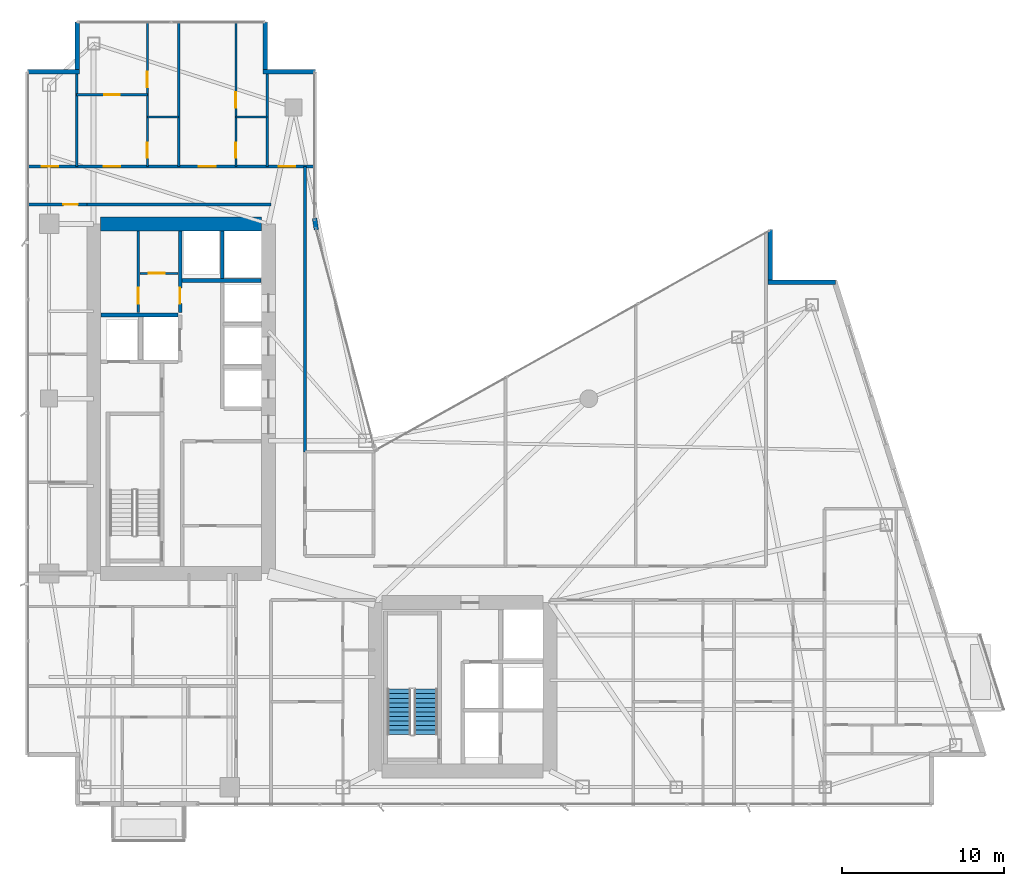
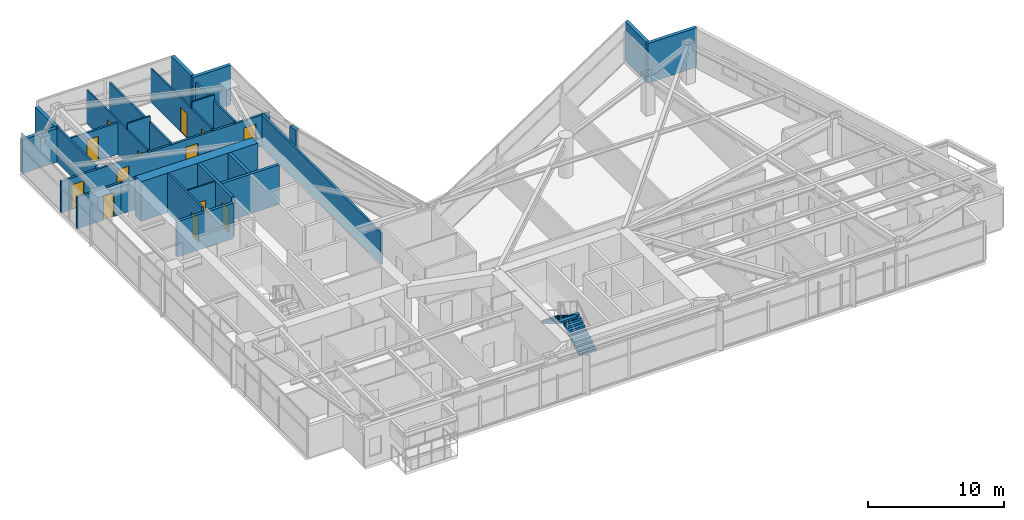
# One storey, part 25 of 29: 26 walls, 13 doors, 2 stair flights, 13 openings, 1 element without a shape of its own.
"""IFC4 building model written with IfcOpenShell, lengths in metres."""

import ifcopenshell
import ifcopenshell.guid

model = None  # the IFC model being written
_history = None  # IfcOwnerHistory: only IFC2X3 demands one
_inside = {}  # id of a spatial element -> (the spatial element, [elements in it])
_under = {}  # id of a project, library or spatial element -> (it, [spatial elements below it])
_declared = {}  # id of a project -> (the project, [libraries it declares])
_typed = {}  # id of a type object -> (the type object, [elements of that type])
_made_of = {}  # id of a material, layer set ... -> (it, [elements and type objects made of it])


def new_model(schema):
    """Start an empty IFC model of exactly this schema.

    Asked for "IFC4X3", IfcOpenShell would pick the latest addendum, in which some entities
    have other attributes; the version numbers below select the first issue.
    IFC2X3 requires an IfcOwnerHistory on every rooted entity: one is made here for all.
    """
    global model, _history
    if schema == "IFC4X3":
        model = ifcopenshell.file(schema_version=(4, 3, 0, 0))
    else:
        model = ifcopenshell.file(schema=schema)
    _inside.clear()
    _under.clear()
    _declared.clear()
    _typed.clear()
    _made_of.clear()
    _history = None
    if model.schema == "IFC2X3":
        org = make("IfcOrganization", Name="unknown")
        user = make(
            "IfcPersonAndOrganization",
            ThePerson=make("IfcPerson", FamilyName="unknown"),
            TheOrganization=org,
        )
        app = make(
            "IfcApplication",
            ApplicationDeveloper=org,
            Version="unknown",
            ApplicationFullName="unknown",
            ApplicationIdentifier="unknown",
        )
        _history = make(
            "IfcOwnerHistory",
            OwningUser=user,
            OwningApplication=app,
            ChangeAction="ADDED",
            CreationDate=0,
        )
    return model


def make(cls, **values):
    """One entity of the class cls with the attributes given. An attribute that is None is left unset."""
    return model.create_entity(
        cls, **{name: value for name, value in values.items() if value is not None}
    )


def rooted(cls, **values):
    """An entity with a GlobalId (a new one), such as an element, a storey or a relation."""
    return make(cls, GlobalId=ifcopenshell.guid.new(), OwnerHistory=_history, **values)


def si_unit(unit_type, name, prefix=None):
    """IfcSIUnit, for example si_unit("LENGTHUNIT", "METRE", prefix="MILLI")."""
    return make("IfcSIUnit", UnitType=unit_type, Prefix=prefix, Name=name)


def assignment(units):
    """IfcUnitAssignment: the units of a project."""
    return None if units is None else make("IfcUnitAssignment", Units=units)


def point(xyz):
    """IfcCartesianPoint."""
    return None if xyz is None else make("IfcCartesianPoint", Coordinates=xyz)


def direction(xyz):
    """IfcDirection."""
    return None if xyz is None else make("IfcDirection", DirectionRatios=xyz)


def frame(location, z_axis=None, x_axis=None):
    """IfcAxis2Placement3D, a coordinate frame: its origin and axes. An axis left out is left unset."""
    return make(
        "IfcAxis2Placement3D",
        Location=point(location),
        Axis=direction(z_axis),
        RefDirection=direction(x_axis),
    )


def frame_2d(location, x_axis=None):
    """IfcAxis2Placement2D, a coordinate frame in the plane: its origin and x axis."""
    return make(
        "IfcAxis2Placement2D", Location=point(location), RefDirection=direction(x_axis)
    )


def origin():
    """The frame at (0, 0, 0) with its axes left unset."""
    return frame((0.0, 0.0, 0.0))


def place(relative_to, where):
    """IfcLocalPlacement: puts the frame where relative to a parent placement (None: the world)."""
    return make(
        "IfcLocalPlacement", PlacementRelTo=relative_to, RelativePlacement=where
    )


def context(
    kind, dimensions, precision=None, world=None, true_north=None, identifier=None
):
    """IfcGeometricRepresentationContext, for example the 3D "Model" context."""
    return make(
        "IfcGeometricRepresentationContext",
        ContextIdentifier=identifier,
        ContextType=kind,
        CoordinateSpaceDimension=dimensions,
        Precision=precision,
        WorldCoordinateSystem=world,
        TrueNorth=true_north,
    )


def subcontext(parent, identifier, kind, view, scale=None):
    """IfcGeometricRepresentationSubContext, for example "Body" below "Model"."""
    return make(
        "IfcGeometricRepresentationSubContext",
        ContextIdentifier=identifier,
        ContextType=kind,
        ParentContext=parent,
        TargetScale=scale,
        TargetView=view,
    )


def project(units=None, contexts=None):
    """IfcProject with its units and contexts."""
    return rooted(
        "IfcProject",
        Name="project",
        RepresentationContexts=contexts,
        UnitsInContext=assignment(units),
    )


def spatial(cls, under=None, at=None, **own):
    """A site, building, storey or space (cls), placed at a placement, below another one or the project."""
    s = rooted(cls, ObjectPlacement=at, **own)
    if under is not None:
        _under.setdefault(under.id(), (under, []))[1].append(s)
    return s


def polyline(points):
    """IfcPolyline through the points."""
    return make("IfcPolyline", Points=[point(p) for p in points])


def profile(cls, at=None, kind="AREA", **sizes):
    """A parametric profile (cls). Its sizes go by their IFC names, for example OverallWidth=200.0."""
    return make(cls, ProfileType=kind, Position=at, **sizes)


def rectangle(**sizes):
    """IfcRectangleProfileDef."""
    return profile("IfcRectangleProfileDef", **sizes)


def outline(outer, holes=None, kind="AREA"):
    """IfcArbitraryClosedProfileDef: a profile drawn as a closed curve; with holes, ...WithVoids."""
    if holes is None:
        return make("IfcArbitraryClosedProfileDef", ProfileType=kind, OuterCurve=outer)
    return make(
        "IfcArbitraryProfileDefWithVoids",
        ProfileType=kind,
        OuterCurve=outer,
        InnerCurves=holes,
    )


def extrude(swept, where, along, depth):
    """IfcExtrudedAreaSolid: the profile swept, set in the frame where, extruded along a direction by depth."""
    return make(
        "IfcExtrudedAreaSolid",
        SweptArea=swept,
        Position=where,
        ExtrudedDirection=direction(along),
        Depth=depth,
    )


def shape(context_of_items, identifier, shape_type, items):
    """IfcShapeRepresentation: the items that make up one representation, for example the "Body"."""
    return make(
        "IfcShapeRepresentation",
        ContextOfItems=context_of_items,
        RepresentationIdentifier=identifier,
        RepresentationType=shape_type,
        Items=items,
    )


def material(Name=None, Category=None):
    """IfcMaterial."""
    return make("IfcMaterial", Name=Name, Category=Category)


def layer(
    of_material, thickness, ventilated=None, Name=None, Category=None, Priority=None
):
    """IfcMaterialLayer: one layer of a wall or slab, of a material (None: an air gap)."""
    return make(
        "IfcMaterialLayer",
        Material=of_material,
        LayerThickness=thickness,
        IsVentilated=ventilated,
        Name=Name,
        Category=Category,
        Priority=Priority,
    )


def layer_set(layers, Name=None):
    """IfcMaterialLayerSet."""
    return make("IfcMaterialLayerSet", MaterialLayers=layers, LayerSetName=Name)


def made_of(thing, what):
    """Note that an element or type object is made of a material, layer set ...; save() writes the relation."""
    if what is not None:
        _made_of.setdefault(what.id(), (what, []))[1].append(thing)
    return thing


def type_object(cls, material=None, **own):
    """A type object (cls), such as IfcWallType, which elements share."""
    return made_of(rooted(cls, **own), material)


def element(
    cls,
    number,
    at=None,
    inside=None,
    cuts=None,
    type_object=None,
    material=None,
    context=None,
    identifier="Body",
    shape_type=None,
    held_by="IfcProductDefinitionShape",
    body=None,
    shapes=None,
    **own,
):
    """One element of the class cls, such as IfcWall. Its Tag is "e" and its number.

    at: its placement. inside: the storey or other place that contains it. cuts: it is an
    opening in that element (IfcRelVoidsElement). A single representation is given by context,
    identifier, shape_type and body (its items); several are given by shapes. held_by: the class
    of the entity that holds the representations. save() writes the other relations.
    """
    e = rooted(cls, Tag="e%d" % number, ObjectPlacement=at, **own)
    if body is not None:
        shapes = [shape(context, identifier, shape_type, body)]
    if shapes is not None:
        e.Representation = make(held_by, Representations=shapes)
    if inside is not None:
        _inside.setdefault(inside.id(), (inside, []))[1].append(e)
    if cuts is not None:
        rooted(
            "IfcRelVoidsElement", RelatingBuildingElement=cuts, RelatedOpeningElement=e
        )
    if type_object is not None:
        _typed.setdefault(type_object.id(), (type_object, []))[1].append(e)
    return made_of(e, material)


def fill(opening, filler):
    """IfcRelFillsElement: the door or window that sits in an opening."""
    return rooted(
        "IfcRelFillsElement",
        RelatingOpeningElement=opening,
        RelatedBuildingElement=filler,
    )


def aggregate(whole, parts):
    """IfcRelAggregates: a whole, such as a stair, and the parts it consists of."""
    return rooted("IfcRelAggregates", RelatingObject=whole, RelatedObjects=parts)


def save(model, path):
    """Write the relations noted so far, then the file.

    IfcRelAggregates (storeys below a building ...), IfcRelContainedInSpatialStructure (elements
    in a storey), IfcRelDefinesByType, IfcRelAssociatesMaterial and IfcRelDeclares: one each for
    every whole, place, type object, material and project.
    """
    for whole, parts in _under.values():
        aggregate(whole, parts)
    for where, things in _inside.values():
        rooted(
            "IfcRelContainedInSpatialStructure",
            RelatedElements=things,
            RelatingStructure=where,
        )
    for kind, things in _typed.values():
        rooted("IfcRelDefinesByType", RelatedObjects=things, RelatingType=kind)
    for what, things in _made_of.values():
        rooted("IfcRelAssociatesMaterial", RelatedObjects=things, RelatingMaterial=what)
    for by, libraries in _declared.values():
        rooted("IfcRelDeclares", RelatingContext=by, RelatedDefinitions=libraries)
    model.write(path)


model = new_model("IFC4")

# Units and contexts
model_context = context("Model", 3, precision=1e-05, world=origin(), true_north=direction((0.0, 1.0)))
body_context = subcontext(model_context, "Body", "Model", "MODEL_VIEW")
ifc_project = project(units=[si_unit("LENGTHUNIT", "METRE"), si_unit("AREAUNIT", "SQUARE_METRE"), si_unit("VOLUMEUNIT", "CUBIC_METRE"), si_unit("PLANEANGLEUNIT", "RADIAN"), si_unit("MASSUNIT", "GRAM", prefix="KILO")], contexts=[model_context])

# Site, building, storey
site_placement = place(None, origin())
site = spatial("IfcSite", under=ifc_project, at=site_placement, CompositionType="ELEMENT")
building_placement = place(site_placement, origin())
building = spatial("IfcBuilding", under=site, at=building_placement, Name="Calvorn Quay Hotel", CompositionType="ELEMENT")
storey_placement = place(building_placement, frame((0.0, 0.0, 120.199951171875)))
storey = spatial("IfcBuildingStorey", under=building, at=storey_placement, Name="L29", CompositionType="ELEMENT", Elevation=120.199951171875)

# Wall
ifc_material_1 = material(Name="Concrete C50", Category="concrete")
ifc_layer_1 = layer(ifc_material_1, 0.85009765625)
ifc_layer_set_1 = layer_set([ifc_layer_1], Name="WL-CORE-850")
wall_type_1 = type_object("IfcWallType", Name="WL-CORE-850", PredefinedType="SHEAR", material=ifc_layer_set_1)
wall_1_placement = place(storey_placement, frame((4.625, 38.39990234375, 0.0), z_axis=(0.0, 0.0, 1.0), x_axis=(1.0, 0.0, 0.0)))
element("IfcWall", 1, at=wall_1_placement, inside=storey, type_object=wall_type_1, Name="West Core Shear Wall N (L29)", PredefinedType="SHEAR", context=body_context, shape_type="SweptSolid", body=[
    extrude(rectangle(XDim=9.949951171875, YDim=0.85009765625, at=frame_2d((4.97509765625, 0.0))), origin(), (0.0, 0.0, 1.0), 3.56005859375),
])

# Wall, opening, door
ifc_material_2 = material(Name="Acoustic Fireboard Steel-Stud Partition", Category="steel")
ifc_layer_2 = layer(ifc_material_2, 0.179931640625)
ifc_layer_set_2 = layer_set([ifc_layer_2], Name="WL-CORR-FIRE-180")
wall_type_2 = type_object("IfcWallType", Name="WL-CORR-FIRE-180", PredefinedType="PARTITIONING", material=ifc_layer_set_2)
wall_2_placement = place(storey_placement, frame((0.080078125, 39.60009765625, 0.0), z_axis=(0.0, 0.0, 1.0), x_axis=(1.0, 0.0, 0.0)))
wall_2 = element("IfcWall", 2, at=wall_2_placement, inside=storey, type_object=wall_type_2, Name="Partition Wall L29-WL-WBAY-N-DOOR", PredefinedType="PARTITIONING", context=body_context, shape_type="SweptSolid", body=[
    extrude(rectangle(XDim=3.724853515625, YDim=0.179931640625, at=frame_2d((1.8623046875, 0.0))), origin(), (0.0, 0.0, 1.0), 2.840087890625),
])
opening_1_placement = place(wall_2_placement, frame((2.25, 0.0, 0.0)))
opening_1 = element("IfcOpeningElement", 3, at=opening_1_placement, cuts=wall_2, Name="Opening D-L29-WBN", PredefinedType="OPENING", context=body_context, shape_type="SweptSolid", body=[
    extrude(rectangle(XDim=0.89990234375, YDim=2.14990234375, at=frame_2d((0.449951171875, 1.074951171875))), frame((0.0, 0.099853515625, 0.0), z_axis=(0.0, -1.0, 0.0), x_axis=(1.0, 0.0, 0.0)), (0.0, 0.0, 1.0), 0.199951171875),
])
ifc_material_3 = material(Name="Moisture-Sealed Timber En-Suite Door", Category="wood")
door_type_1 = type_object("IfcDoorType", Name="DR-ENSUITE-900", OperationType="NOTDEFINED", PredefinedType="DOOR", material=ifc_material_3)
door_1_placement = place(opening_1_placement, origin())
door_1 = element("IfcDoor", 4, at=door_1_placement, inside=storey, type_object=door_type_1, Name="West North Bay Door (L29)", OperationType="SINGLE_SWING_LEFT", OverallHeight=2.14990234375, OverallWidth=0.89990234375, PredefinedType="DOOR", context=body_context, shape_type="SweptSolid", body=[
    extrude(rectangle(XDim=0.89990234375, YDim=2.14990234375, at=frame_2d((0.449951171875, 1.074951171875))), frame((0.0, 0.02490234375, 0.0), z_axis=(0.0, -1.0, 0.0), x_axis=(1.0, 0.0, 0.0)), (0.0, 0.0, 1.0), 0.050048828125),
])
fill(opening_1, door_1)

# Wall, openings, doors
wall_3_placement = place(storey_placement, frame((0.080078125, 41.949951171875, 0.0), z_axis=(0.0, 0.0, 1.0), x_axis=(1.0, 0.0, 0.0)))
wall_3 = element("IfcWall", 5, at=wall_3_placement, inside=storey, type_object=wall_type_2, Name="Partition Wall L29-WL-CORR-NW-N", PredefinedType="PARTITIONING", context=body_context, shape_type="SweptSolid", body=[
    extrude(rectangle(XDim=17.77001953125, YDim=0.179931640625, at=frame_2d((8.885009765625, 0.0))), origin(), (0.0, 0.0, 1.0), 2.840087890625),
])
opening_2_placement = place(wall_3_placement, frame((0.89990234375, 0.0, 0.0)))
opening_2 = element("IfcOpeningElement", 6, at=opening_2_placement, cuts=wall_3, Name="Opening D-L29-NWW", PredefinedType="OPENING", context=body_context, shape_type="SweptSolid", body=[
    extrude(rectangle(XDim=1.02001953125, YDim=2.199951171875, at=frame_2d((0.510009765625, 1.10009765625))), frame((0.0, 0.099853515625, 0.0), z_axis=(0.0, -1.0, 0.0), x_axis=(1.0, 0.0, 0.0)), (0.0, 0.0, 1.0), 0.199951171875),
])
opening_3_placement = place(wall_3_placement, frame((4.75, 0.0, 0.0)))
opening_3 = element("IfcOpeningElement", 7, at=opening_3_placement, cuts=wall_3, Name="Opening D-L29-U04", PredefinedType="OPENING", context=body_context, shape_type="SweptSolid", body=[
    extrude(rectangle(XDim=1.02001953125, YDim=2.199951171875, at=frame_2d((0.510009765625, 1.10009765625))), frame((0.0, 0.099853515625, 0.0), z_axis=(0.0, -1.0, 0.0), x_axis=(1.0, 0.0, 0.0)), (0.0, 0.0, 1.0), 0.199951171875),
])
opening_4_placement = place(wall_3_placement, frame((10.6298828125, 0.0, 0.0)))
opening_4 = element("IfcOpeningElement", 8, at=opening_4_placement, cuts=wall_3, Name="Opening D-L29-U05", PredefinedType="OPENING", context=body_context, shape_type="SweptSolid", body=[
    extrude(rectangle(XDim=1.02001953125, YDim=2.199951171875, at=frame_2d((0.510009765625, 1.10009765625))), frame((0.0, 0.099853515625, 0.0), z_axis=(0.0, -1.0, 0.0), x_axis=(1.0, 0.0, 0.0)), (0.0, 0.0, 1.0), 0.199951171875),
])
opening_5_placement = place(wall_3_placement, frame((15.550048828125, 0.0, 0.0)))
opening_5 = element("IfcOpeningElement", 9, at=opening_5_placement, cuts=wall_3, Name="Opening D-L29-NWE", PredefinedType="OPENING", context=body_context, shape_type="SweptSolid", body=[
    extrude(rectangle(XDim=1.02001953125, YDim=2.199951171875, at=frame_2d((0.510009765625, 1.10009765625))), frame((0.0, 0.099853515625, 0.0), z_axis=(0.0, -1.0, 0.0), x_axis=(1.0, 0.0, 0.0)), (0.0, 0.0, 1.0), 0.199951171875),
])
ifc_material_4 = material(Name="Solid-Core Walnut Veneer Hotel Fire Door")
door_type_2 = type_object("IfcDoorType", Name="DR-GUEST-ENTRY-1020", OperationType="NOTDEFINED", PredefinedType="DOOR", material=ifc_material_4)
door_2_placement = place(opening_2_placement, origin())
door_2 = element("IfcDoor", 10, at=door_2_placement, inside=storey, type_object=door_type_2, Name="West Corner Study Door (L29)", OperationType="SINGLE_SWING_LEFT", OverallHeight=2.199951171875, OverallWidth=1.02001953125, PredefinedType="DOOR", context=body_context, shape_type="SweptSolid", body=[
    extrude(rectangle(XDim=1.02001953125, YDim=2.199951171875, at=frame_2d((0.510009765625, 1.10009765625))), frame((0.0, 0.02490234375, 0.0), z_axis=(0.0, -1.0, 0.0), x_axis=(1.0, 0.0, 0.0)), (0.0, 0.0, 1.0), 0.050048828125),
])
fill(opening_2, door_2)
door_3_placement = place(opening_3_placement, origin())
door_3 = element("IfcDoor", 11, at=door_3_placement, inside=storey, type_object=door_type_2, Name="North-West Unit Door U04 (L29)", OperationType="SINGLE_SWING_RIGHT", OverallHeight=2.199951171875, OverallWidth=1.02001953125, PredefinedType="DOOR", context=body_context, shape_type="SweptSolid", body=[
    extrude(rectangle(XDim=1.02001953125, YDim=2.199951171875, at=frame_2d((0.510009765625, 1.10009765625))), frame((0.0, 0.02490234375, 0.0), z_axis=(0.0, -1.0, 0.0), x_axis=(1.0, 0.0, 0.0)), (0.0, 0.0, 1.0), 0.050048828125),
])
fill(opening_3, door_3)
door_4_placement = place(opening_4_placement, origin())
door_4 = element("IfcDoor", 12, at=door_4_placement, inside=storey, type_object=door_type_2, Name="North-West Unit Door U05 (L29)", OperationType="SINGLE_SWING_LEFT", OverallHeight=2.199951171875, OverallWidth=1.02001953125, PredefinedType="DOOR", context=body_context, shape_type="SweptSolid", body=[
    extrude(rectangle(XDim=1.02001953125, YDim=2.199951171875, at=frame_2d((0.510009765625, 1.10009765625))), frame((0.0, 0.02490234375, 0.0), z_axis=(0.0, -1.0, 0.0), x_axis=(1.0, 0.0, 0.0)), (0.0, 0.0, 1.0), 0.050048828125),
])
fill(opening_4, door_4)
door_5_placement = place(opening_5_placement, origin())
door_5 = element("IfcDoor", 13, at=door_5_placement, inside=storey, type_object=door_type_2, Name="Inner Court Study Door (L29)", OperationType="SINGLE_SWING_RIGHT", OverallHeight=2.199951171875, OverallWidth=1.02001953125, PredefinedType="DOOR", context=body_context, shape_type="SweptSolid", body=[
    extrude(rectangle(XDim=1.02001953125, YDim=2.199951171875, at=frame_2d((0.510009765625, 1.10009765625))), frame((0.0, 0.02490234375, 0.0), z_axis=(0.0, -1.0, 0.0), x_axis=(1.0, 0.0, 0.0)), (0.0, 0.0, 1.0), 0.050048828125),
])
fill(opening_5, door_5)

# Walls
wall_4_placement = place(storey_placement, frame((17.25, 24.300048828125, 0.0), z_axis=(0.0, 0.0, 1.0), x_axis=(0.0, 1.0, 0.0)))
element("IfcWall", 14, at=wall_4_placement, inside=storey, type_object=wall_type_2, Name="Partition Wall L29-WL-NW-CLOSURE-E", PredefinedType="PARTITIONING", context=body_context, shape_type="SweptSolid", body=[
    extrude(rectangle(XDim=17.64990234375, YDim=0.179931640625, at=frame_2d((8.824951171875, 0.0))), origin(), (0.0, 0.0, 1.0), 2.840087890625),
])
wall_5_placement = place(storey_placement, frame((3.7548828125, 39.60009765625, 0.0), z_axis=(0.0, 0.0, 1.0), x_axis=(1.0, 0.0, 0.0)))
element("IfcWall", 15, at=wall_5_placement, inside=storey, type_object=wall_type_2, Name="Partition Wall L29-WL-W-SPUR-S", PredefinedType="PARTITIONING", context=body_context, shape_type="SweptSolid", body=[
    extrude(rectangle(XDim=11.39501953125, YDim=0.179931640625, at=frame_2d((5.697509765625, 0.0))), origin(), (0.0, 0.0, 1.0), 2.840087890625),
])

# Wall, opening, door
ifc_material_5 = material(Name="Moisture-Resistant Tile-Backed Partition")
ifc_layer_3 = layer(ifc_material_5, 0.125)
ifc_layer_set_3 = layer_set([ifc_layer_3], Name="WL-ENSUITE-125")
wall_type_3 = type_object("IfcWallType", Name="WL-ENSUITE-125", PredefinedType="PARTITIONING", material=ifc_layer_set_3)
wall_6_placement = place(storey_placement, frame((7.050048828125, 35.35009765625, 0.0), z_axis=(0.0, 0.0, 1.0), x_axis=(1.0, 0.0, 0.0)))
wall_6 = element("IfcWall", 16, at=wall_6_placement, inside=storey, type_object=wall_type_3, Name="Partition Wall L29-WL-CWW-K-H", PredefinedType="PARTITIONING", context=body_context, shape_type="SweptSolid", body=[
    extrude(rectangle(XDim=2.369873046875, YDim=0.125, at=frame_2d((1.18505859375, 0.0))), origin(), (0.0, 0.0, 1.0), 3.56005859375),
])
opening_6_placement = place(wall_6_placement, frame((0.550048828125, 0.0, 0.0)))
opening_6 = element("IfcOpeningElement", 17, at=opening_6_placement, cuts=wall_6, Name="Opening D-L29-CK3", PredefinedType="OPENING", context=body_context, shape_type="SweptSolid", body=[
    extrude(rectangle(XDim=0.97998046875, YDim=2.14990234375, at=frame_2d((0.489990234375, 1.074951171875))), frame((0.0, 0.072509765625, 0.0), z_axis=(0.0, -1.0, 0.0), x_axis=(1.0, 0.0, 0.0)), (0.0, 0.0, 1.0), 0.14501953125),
])
ifc_material_6 = material(Name="Painted Steel Housekeeping/Riser Fire Door", Category="steel")
door_type_3 = type_object("IfcDoorType", Name="DR-SERVICE-980", OperationType="NOTDEFINED", PredefinedType="DOOR", material=ifc_material_6)
door_6_placement = place(opening_6_placement, origin())
door_6 = element("IfcDoor", 18, at=door_6_placement, inside=storey, type_object=door_type_3, Name="Telecom Closet Door (L29)", OperationType="SINGLE_SWING_RIGHT", OverallHeight=2.14990234375, OverallWidth=0.97998046875, PredefinedType="DOOR", context=body_context, shape_type="SweptSolid", body=[
    extrude(rectangle(XDim=0.97998046875, YDim=2.14990234375, at=frame_2d((0.489990234375, 1.074951171875))), frame((0.0, 0.02490234375, 0.0), z_axis=(0.0, -1.0, 0.0), x_axis=(1.0, 0.0, 0.0)), (0.0, 0.0, 1.0), 0.050048828125),
])
fill(opening_6, door_6)

# Wall
wall_7_placement = place(storey_placement, frame((7.52001953125, 45.02001953125, 0.0), z_axis=(0.0, 0.0, 1.0), x_axis=(1.0, 0.0, 0.0)))
element("IfcWall", 19, at=wall_7_placement, inside=storey, type_object=wall_type_3, Name="Partition Wall L29-WL-U04-BDV", PredefinedType="PARTITIONING", context=body_context, shape_type="SweptSolid", body=[
    extrude(rectangle(XDim=1.929931640625, YDim=0.125, at=frame_2d((0.96484375, 0.0))), origin(), (0.0, 0.0, 1.0), 3.56005859375),
])

# Wall, openings, doors
wall_8_placement = place(storey_placement, frame((7.52001953125, 41.949951171875, 0.0), z_axis=(0.0, 0.0, 1.0), x_axis=(0.0, 1.0, 0.0)))
wall_8 = element("IfcWall", 20, at=wall_8_placement, inside=storey, type_object=wall_type_3, Name="Partition Wall L29-WL-U04-BV", PredefinedType="PARTITIONING", context=body_context, shape_type="SweptSolid", body=[
    extrude(rectangle(XDim=8.989990234375, YDim=0.125, at=frame_2d((4.4951171875, 0.0))), origin(), (0.0, 0.0, 1.0), 3.0400390625),
])
opening_7_placement = place(wall_8_placement, frame((0.550048828125, 0.0, 0.0)))
opening_7 = element("IfcOpeningElement", 21, at=opening_7_placement, cuts=wall_8, Name="Opening D-L29-E04", PredefinedType="OPENING", context=body_context, shape_type="SweptSolid", body=[
    extrude(rectangle(XDim=0.89990234375, YDim=2.14990234375, at=frame_2d((0.449951171875, 1.074951171875))), frame((0.0, 0.072509765625, 0.0), z_axis=(0.0, -1.0, 0.0), x_axis=(1.0, 0.0, 0.0)), (0.0, 0.0, 1.0), 0.14501953125),
])
opening_8_placement = place(wall_8_placement, frame((4.8798828125, 0.0, 0.0)))
opening_8 = element("IfcOpeningElement", 22, at=opening_8_placement, cuts=wall_8, Name="Opening D-L29-S04", PredefinedType="OPENING", context=body_context, shape_type="SweptSolid", body=[
    extrude(rectangle(XDim=0.9599609375, YDim=2.199951171875, at=frame_2d((0.47998046875, 1.10009765625))), frame((0.0, 0.072509765625, 0.0), z_axis=(0.0, -1.0, 0.0), x_axis=(1.0, 0.0, 0.0)), (0.0, 0.0, 1.0), 0.14501953125),
])
door_7_placement = place(opening_7_placement, origin())
door_7 = element("IfcDoor", 23, at=door_7_placement, inside=storey, type_object=door_type_1, Name="En-Suite Door 04", OperationType="SINGLE_SWING_LEFT", OverallHeight=2.14990234375, OverallWidth=0.89990234375, PredefinedType="DOOR", context=body_context, shape_type="SweptSolid", body=[
    extrude(rectangle(XDim=0.89990234375, YDim=2.14990234375, at=frame_2d((0.449951171875, 1.074951171875))), frame((0.0, 0.02490234375, 0.0), z_axis=(0.0, -1.0, 0.0), x_axis=(1.0, 0.0, 0.0)), (0.0, 0.0, 1.0), 0.050048828125),
])
fill(opening_7, door_7)
ifc_material_7 = material(Name="Solid Timber Internal Suite Door", Category="wood")
door_type_4 = type_object("IfcDoorType", Name="DR-SUITE-INT-960", OperationType="NOTDEFINED", PredefinedType="DOOR", material=ifc_material_7)
door_8_placement = place(opening_8_placement, origin())
door_8 = element("IfcDoor", 24, at=door_8_placement, inside=storey, type_object=door_type_4, Name="Harbour Tea Room Door 04", OperationType="SINGLE_SWING_RIGHT", OverallHeight=2.199951171875, OverallWidth=0.9599609375, PredefinedType="DOOR", context=body_context, shape_type="SweptSolid", body=[
    extrude(rectangle(XDim=0.9599609375, YDim=2.199951171875, at=frame_2d((0.47998046875, 1.10009765625))), frame((0.0, 0.02490234375, 0.0), z_axis=(0.0, -1.0, 0.0), x_axis=(1.0, 0.0, 0.0)), (0.0, 0.0, 1.0), 0.050048828125),
])
fill(opening_8, door_8)

# Wall
wall_9_placement = place(storey_placement, frame((12.989990234375, 45.02001953125, 0.0), z_axis=(0.0, 0.0, 1.0), x_axis=(1.0, 0.0, 0.0)))
element("IfcWall", 25, at=wall_9_placement, inside=storey, type_object=wall_type_3, Name="Partition Wall L29-WL-U05-BDV", PredefinedType="PARTITIONING", context=body_context, shape_type="SweptSolid", body=[
    extrude(rectangle(XDim=1.929931640625, YDim=0.125, at=frame_2d((0.96484375, 0.0))), origin(), (0.0, 0.0, 1.0), 3.56005859375),
])

# Wall, openings, doors
wall_10_placement = place(storey_placement, frame((12.989990234375, 41.949951171875, 0.0), z_axis=(0.0, 0.0, 1.0), x_axis=(0.0, 1.0, 0.0)))
wall_10 = element("IfcWall", 26, at=wall_10_placement, inside=storey, type_object=wall_type_3, Name="Partition Wall L29-WL-U05-BV", PredefinedType="PARTITIONING", context=body_context, shape_type="SweptSolid", body=[
    extrude(rectangle(XDim=8.989990234375, YDim=0.125, at=frame_2d((4.4951171875, 0.0))), origin(), (0.0, 0.0, 1.0), 3.0400390625),
])
opening_9_placement = place(wall_10_placement, frame((0.550048828125, 0.0, 0.0)))
opening_9 = element("IfcOpeningElement", 27, at=opening_9_placement, cuts=wall_10, Name="Opening D-L29-E05", PredefinedType="OPENING", context=body_context, shape_type="SweptSolid", body=[
    extrude(rectangle(XDim=0.89990234375, YDim=2.14990234375, at=frame_2d((0.449951171875, 1.074951171875))), frame((0.0, 0.072509765625, 0.0), z_axis=(0.0, -1.0, 0.0), x_axis=(1.0, 0.0, 0.0)), (0.0, 0.0, 1.0), 0.14501953125),
])
opening_10_placement = place(wall_10_placement, frame((3.6201171875, 0.0, 0.0)))
opening_10 = element("IfcOpeningElement", 28, at=opening_10_placement, cuts=wall_10, Name="Opening D-L29-S05", PredefinedType="OPENING", context=body_context, shape_type="SweptSolid", body=[
    extrude(rectangle(XDim=0.9599609375, YDim=2.199951171875, at=frame_2d((0.47998046875, 1.10009765625))), frame((0.0, 0.072509765625, 0.0), z_axis=(0.0, -1.0, 0.0), x_axis=(1.0, 0.0, 0.0)), (0.0, 0.0, 1.0), 0.14501953125),
])
door_9_placement = place(opening_9_placement, origin())
door_9 = element("IfcDoor", 29, at=door_9_placement, inside=storey, type_object=door_type_1, Name="En-Suite Door 05", OperationType="SINGLE_SWING_LEFT", OverallHeight=2.14990234375, OverallWidth=0.89990234375, PredefinedType="DOOR", context=body_context, shape_type="SweptSolid", body=[
    extrude(rectangle(XDim=0.89990234375, YDim=2.14990234375, at=frame_2d((0.449951171875, 1.074951171875))), frame((0.0, 0.02490234375, 0.0), z_axis=(0.0, -1.0, 0.0), x_axis=(1.0, 0.0, 0.0)), (0.0, 0.0, 1.0), 0.050048828125),
])
fill(opening_9, door_9)
door_10_placement = place(opening_10_placement, origin())
door_10 = element("IfcDoor", 30, at=door_10_placement, inside=storey, type_object=door_type_4, Name="Harbour Tea Room Door 05", OperationType="SINGLE_SWING_RIGHT", OverallHeight=2.199951171875, OverallWidth=0.9599609375, PredefinedType="DOOR", context=body_context, shape_type="SweptSolid", body=[
    extrude(rectangle(XDim=0.9599609375, YDim=2.199951171875, at=frame_2d((0.47998046875, 1.10009765625))), frame((0.0, 0.02490234375, 0.0), z_axis=(0.0, -1.0, 0.0), x_axis=(1.0, 0.0, 0.0)), (0.0, 0.0, 1.0), 0.050048828125),
])
fill(opening_10, door_10)

# Walls
ifc_material_8 = material(Name="Concrete C40", Category="concrete")
ifc_layer_4 = layer(ifc_material_8, 0.320068359375)
ifc_layer_set_4 = layer_set([ifc_layer_4], Name="WL-EXT-SPANDREL-320")
wall_type_4 = type_object("IfcWallType", Name="WL-EXT-SPANDREL-320", PredefinedType="SOLIDWALL", material=ifc_layer_set_4)
wall_11_placement = place(storey_placement, frame((17.9619140625, 38.030029296875, 0.0), z_axis=(0.0, 0.0, 1.0), x_axis=(-0.15141125477, 0.988470855377, 0.0)))
element("IfcWall", 31, at=wall_11_placement, inside=storey, type_object=wall_type_4, Name="Inner Court Corner Pier L29-ICJ2", PredefinedType="SOLIDWALL", context=body_context, shape_type="SweptSolid", body=[
    extrude(rectangle(XDim=0.738525390625, YDim=0.280029296875, at=frame_2d((0.369140625, 0.0))), origin(), (0.0, 0.0, 1.0), 3.56005859375),
])
wall_12_placement = place(storey_placement, frame((50.0400390625, 34.800048828125, 0.0), z_axis=(0.0, 0.0, 1.0), x_axis=(-1.0, 0.0, 0.0)))
element("IfcWall", 32, at=wall_12_placement, inside=storey, type_object=wall_type_4, Name="Notched Corner Spandrel L29-NE1", PredefinedType="SOLIDWALL", context=body_context, shape_type="SweptSolid", body=[
    extrude(rectangle(XDim=4.179931640625, YDim=0.280029296875, at=frame_2d((2.08984375, 0.0))), origin(), (0.0, 0.0, 1.0), 3.56005859375),
])
wall_13_placement = place(storey_placement, frame((46.0, 34.93994140625, 0.0), z_axis=(0.0, 0.0, 1.0), x_axis=(0.0, 1.0, 0.0)))
element("IfcWall", 33, at=wall_13_placement, inside=storey, type_object=wall_type_4, Name="Notched Corner Spandrel L29-NE2", PredefinedType="SOLIDWALL", context=body_context, shape_type="SweptSolid", body=[
    extrude(rectangle(XDim=3.10009765625, YDim=0.280029296875, at=frame_2d((1.550048828125, 0.0))), origin(), (0.0, 0.0, 1.0), 3.56005859375),
])
wall_14_placement = place(storey_placement, frame((17.89990234375, 47.800048828125, 0.0), z_axis=(0.0, 0.0, 1.0), x_axis=(-1.0, 0.0, 0.0)))
element("IfcWall", 34, at=wall_14_placement, inside=storey, type_object=wall_type_4, Name="Notched Corner Spandrel L29-NWE1", PredefinedType="SOLIDWALL", context=body_context, shape_type="SweptSolid", body=[
    extrude(rectangle(XDim=3.239990234375, YDim=0.280029296875, at=frame_2d((1.6201171875, 0.0))), origin(), (0.0, 0.0, 1.0), 3.56005859375),
])
wall_15_placement = place(storey_placement, frame((14.800048828125, 47.93994140625, 0.0), z_axis=(0.0, 0.0, 1.0), x_axis=(0.0, 1.0, 0.0)))
element("IfcWall", 35, at=wall_15_placement, inside=storey, type_object=wall_type_4, Name="Notched Corner Spandrel L29-NWE2", PredefinedType="SOLIDWALL", context=body_context, shape_type="SweptSolid", body=[
    extrude(rectangle(XDim=2.93994140625, YDim=0.280029296875, at=frame_2d((1.469970703125, 0.0))), origin(), (0.0, 0.0, 1.0), 3.56005859375),
])
wall_16_placement = place(storey_placement, frame((3.199951171875, 50.8798828125, 0.0), z_axis=(0.0, 0.0, 1.0), x_axis=(0.0, -1.0, 0.0)))
element("IfcWall", 36, at=wall_16_placement, inside=storey, type_object=wall_type_4, Name="Notched Corner Spandrel L29-NW1", PredefinedType="SOLIDWALL", context=body_context, shape_type="SweptSolid", body=[
    extrude(rectangle(XDim=2.93994140625, YDim=0.280029296875, at=frame_2d((1.469970703125, 0.0))), origin(), (0.0, 0.0, 1.0), 3.0400390625),
])
wall_17_placement = place(storey_placement, frame((3.340087890625, 47.800048828125, 0.0), z_axis=(0.0, 0.0, 1.0), x_axis=(-1.0, 0.0, 0.0)))
element("IfcWall", 37, at=wall_17_placement, inside=storey, type_object=wall_type_4, Name="Notched Corner Spandrel L29-NW2", PredefinedType="SOLIDWALL", context=body_context, shape_type="SweptSolid", body=[
    extrude(rectangle(XDim=3.219970703125, YDim=0.280029296875, at=frame_2d((1.60986328125, 0.0))), origin(), (0.0, 0.0, 1.0), 3.0400390625),
])

# Wall, opening, door
ifc_material_9 = material(Name="Double-Stud Acoustic Gypsum Partition")
ifc_layer_5 = layer(ifc_material_9, 0.159912109375)
ifc_layer_set_5 = layer_set([ifc_layer_5], Name="WL-INTERSUITE-160")
wall_type_5 = type_object("IfcWallType", Name="WL-INTERSUITE-160", PredefinedType="PARTITIONING", material=ifc_layer_set_5)
wall_18_placement = place(storey_placement, frame((6.949951171875, 32.919921875, 0.0), z_axis=(0.0, 0.0, 1.0), x_axis=(0.0, 1.0, 0.0)))
wall_18 = element("IfcWall", 38, at=wall_18_placement, inside=storey, type_object=wall_type_5, Name="Partition Wall L29-WL-CWW-K-V", PredefinedType="PARTITIONING", context=body_context, shape_type="SweptSolid", body=[
    extrude(rectangle(XDim=5.03515625, YDim=0.159912109375, at=frame_2d((2.517578125, 0.0))), origin(), (0.0, 0.0, 1.0), 3.56005859375),
])
opening_11_placement = place(wall_18_placement, frame((0.550048828125, 0.0, 0.0)))
opening_11 = element("IfcOpeningElement", 39, at=opening_11_placement, cuts=wall_18, Name="Opening D-L29-CK1", PredefinedType="OPENING", context=body_context, shape_type="SweptSolid", body=[
    extrude(rectangle(XDim=0.97998046875, YDim=2.14990234375, at=frame_2d((0.489990234375, 1.074951171875))), frame((0.0, 0.08984375, 0.0), z_axis=(0.0, -1.0, 0.0), x_axis=(1.0, 0.0, 0.0)), (0.0, 0.0, 1.0), 0.179931640625),
])
door_11_placement = place(opening_11_placement, origin())
door_11 = element("IfcDoor", 40, at=door_11_placement, inside=storey, type_object=door_type_3, Name="Pipe Riser Door (L29)", OperationType="SINGLE_SWING_LEFT", OverallHeight=2.14990234375, OverallWidth=0.97998046875, PredefinedType="DOOR", context=body_context, shape_type="SweptSolid", body=[
    extrude(rectangle(XDim=0.97998046875, YDim=2.14990234375, at=frame_2d((0.489990234375, 1.074951171875))), frame((0.0, 0.02490234375, 0.0), z_axis=(0.0, -1.0, 0.0), x_axis=(1.0, 0.0, 0.0)), (0.0, 0.0, 1.0), 0.050048828125),
])
fill(opening_11, door_11)

# Walls
wall_19_placement = place(storey_placement, frame((3.14990234375, 41.949951171875, 0.0), z_axis=(0.0, 0.0, 1.0), x_axis=(0.0, 1.0, 0.0)))
element("IfcWall", 41, at=wall_19_placement, inside=storey, type_object=wall_type_5, Name="Partition Wall L29-WL-NW-DIV-W0", PredefinedType="PARTITIONING", context=body_context, shape_type="SweptSolid", body=[
    extrude(rectangle(XDim=5.85009765625, YDim=0.159912109375, at=frame_2d((2.925048828125, 0.0))), origin(), (0.0, 0.0, 1.0), 3.14013671875),
])
wall_20_placement = place(storey_placement, frame((14.919921875, 41.949951171875, 0.0), z_axis=(0.0, 0.0, 1.0), x_axis=(0.0, 1.0, 0.0)))
element("IfcWall", 42, at=wall_20_placement, inside=storey, type_object=wall_type_5, Name="Partition Wall L29-WL-NW-DIV-E0", PredefinedType="PARTITIONING", context=body_context, shape_type="SweptSolid", body=[
    extrude(rectangle(XDim=5.85009765625, YDim=0.159912109375, at=frame_2d((2.925048828125, 0.0))), origin(), (0.0, 0.0, 1.0), 3.0400390625),
])

# Wall, opening, door
wall_21_placement = place(storey_placement, frame((3.14990234375, 46.3798828125, 0.0), z_axis=(0.0, 0.0, 1.0), x_axis=(1.0, 0.0, 0.0)))
wall_21 = element("IfcWall", 43, at=wall_21_placement, inside=storey, type_object=wall_type_5, Name="Partition Wall L29-WL-U04-MSP", PredefinedType="PARTITIONING", context=body_context, shape_type="SweptSolid", body=[
    extrude(rectangle(XDim=4.3701171875, YDim=0.159912109375, at=frame_2d((2.18505859375, 0.0))), origin(), (0.0, 0.0, 1.0), 2.840087890625),
])
opening_12_placement = place(wall_21_placement, frame((1.699951171875, 0.0, 0.0)))
opening_12 = element("IfcOpeningElement", 44, at=opening_12_placement, cuts=wall_21, Name="Opening D-L29-M04", PredefinedType="OPENING", context=body_context, shape_type="SweptSolid", body=[
    extrude(rectangle(XDim=0.9599609375, YDim=2.199951171875, at=frame_2d((0.47998046875, 1.10009765625))), frame((0.0, 0.08984375, 0.0), z_axis=(0.0, -1.0, 0.0), x_axis=(1.0, 0.0, 0.0)), (0.0, 0.0, 1.0), 0.179931640625),
])
door_12_placement = place(opening_12_placement, origin())
door_12 = element("IfcDoor", 45, at=door_12_placement, inside=storey, type_object=door_type_4, Name="Suite Bedroom Door 04", OperationType="SINGLE_SWING_LEFT", OverallHeight=2.199951171875, OverallWidth=0.9599609375, PredefinedType="DOOR", context=body_context, shape_type="SweptSolid", body=[
    extrude(rectangle(XDim=0.9599609375, YDim=2.199951171875, at=frame_2d((0.47998046875, 1.10009765625))), frame((0.0, 0.02490234375, 0.0), z_axis=(0.0, -1.0, 0.0), x_axis=(1.0, 0.0, 0.0)), (0.0, 0.0, 1.0), 0.050048828125),
])
fill(opening_12, door_12)

# Wall
wall_22_placement = place(storey_placement, frame((9.449951171875, 41.949951171875, 0.0), z_axis=(0.0, 0.0, 1.0), x_axis=(0.0, 1.0, 0.0)))
element("IfcWall", 46, at=wall_22_placement, inside=storey, type_object=wall_type_5, Name="Partition Wall L29-WL-NW-DIV-1", PredefinedType="PARTITIONING", context=body_context, shape_type="SweptSolid", body=[
    extrude(rectangle(XDim=8.989990234375, YDim=0.159912109375, at=frame_2d((4.4951171875, 0.0))), origin(), (0.0, 0.0, 1.0), 3.0400390625),
])

# Wall, opening, door
ifc_material_10 = material(Name="Autoclaved Aerated Masonry Block", Category="masonry")
ifc_layer_6 = layer(ifc_material_10, 0.219970703125)
ifc_layer_set_6 = layer_set([ifc_layer_6], Name="WL-LOBBY-FIRE-220")
wall_type_6 = type_object("IfcWallType", Name="WL-LOBBY-FIRE-220", PredefinedType="SOLIDWALL", material=ifc_layer_set_6)
wall_23_placement = place(storey_placement, frame((9.5400390625, 32.919921875, 0.0), z_axis=(0.0, 0.0, 1.0), x_axis=(0.0, 1.0, 0.0)))
wall_23 = element("IfcWall", 47, at=wall_23_placement, inside=storey, type_object=wall_type_6, Name="Partition Wall L29-WL-CWW-K-E", PredefinedType="SOLIDWALL", context=body_context, shape_type="SweptSolid", body=[
    extrude(rectangle(XDim=5.03515625, YDim=0.219970703125, at=frame_2d((2.517578125, 0.0))), origin(), (0.0, 0.0, 1.0), 3.56005859375),
])
opening_13_placement = place(wall_23_placement, frame((0.550048828125, 0.0, 0.0)))
opening_13 = element("IfcOpeningElement", 48, at=opening_13_placement, cuts=wall_23, Name="Opening D-L29-CK2", PredefinedType="OPENING", context=body_context, shape_type="SweptSolid", body=[
    extrude(rectangle(XDim=0.97998046875, YDim=2.14990234375, at=frame_2d((0.489990234375, 1.074951171875))), frame((0.0, 0.119873046875, 0.0), z_axis=(0.0, -1.0, 0.0), x_axis=(1.0, 0.0, 0.0)), (0.0, 0.0, 1.0), 0.239990234375),
])
door_13_placement = place(opening_13_placement, origin())
door_13 = element("IfcDoor", 49, at=door_13_placement, inside=storey, type_object=door_type_3, Name="Valet Closet Door (L29)", OperationType="SINGLE_SWING_LEFT", OverallHeight=2.14990234375, OverallWidth=0.97998046875, PredefinedType="DOOR", context=body_context, shape_type="SweptSolid", body=[
    extrude(rectangle(XDim=0.97998046875, YDim=2.14990234375, at=frame_2d((0.489990234375, 1.074951171875))), frame((0.0, 0.02490234375, 0.0), z_axis=(0.0, -1.0, 0.0), x_axis=(1.0, 0.0, 0.0)), (0.0, 0.0, 1.0), 0.050048828125),
])
fill(opening_13, door_13)

# Walls
ifc_material_11 = material(Name="Concrete C40", Category="concrete")
ifc_layer_7 = layer(ifc_material_11, 0.239990234375)
ifc_layer_set_7 = layer_set([ifc_layer_7], Name="WL-SHAFT-240")
wall_type_7 = type_object("IfcWallType", Name="WL-SHAFT-240", PredefinedType="SOLIDWALL", material=ifc_layer_set_7)
wall_24_placement = place(storey_placement, frame((4.64501953125, 32.780029296875, 0.0), z_axis=(0.0, 0.0, 1.0), x_axis=(1.0, 0.0, 0.0)))
element("IfcWall", 50, at=wall_24_placement, inside=storey, type_object=wall_type_7, Name="Partition Wall L29-WL-CWW-SLW-N", PredefinedType="SOLIDWALL", context=body_context, shape_type="SweptSolid", body=[
    extrude(rectangle(XDim=4.77490234375, YDim=0.239990234375, at=frame_2d((2.387451171875, 0.0))), origin(), (0.0, 0.0, 1.0), 3.18994140625),
])
wall_25_placement = place(storey_placement, frame((9.659912109375, 34.89990234375, 0.0), z_axis=(0.0, 0.0, 1.0), x_axis=(1.0, 0.0, 0.0)))
element("IfcWall", 51, at=wall_25_placement, inside=storey, type_object=wall_type_7, Name="Partition Wall L29-WL-CWW-PLH-S", PredefinedType="SOLIDWALL", context=body_context, shape_type="SweptSolid", body=[
    extrude(rectangle(XDim=4.89501953125, YDim=0.239990234375, at=frame_2d((2.447509765625, 0.0))), origin(), (0.0, 0.0, 1.0), 3.56005859375),
])
wall_26_placement = place(storey_placement, frame((12.14990234375, 35.02001953125, 0.0), z_axis=(0.0, 0.0, 1.0), x_axis=(0.0, 1.0, 0.0)))
element("IfcWall", 52, at=wall_26_placement, inside=storey, type_object=wall_type_7, Name="Partition Wall L29-WL-CWW-PLH-DIV", PredefinedType="SOLIDWALL", context=body_context, shape_type="SweptSolid", body=[
    extrude(rectangle(XDim=2.93505859375, YDim=0.239990234375, at=frame_2d((1.467529296875, 0.0))), origin(), (0.0, 0.0, 1.0), 3.56005859375),
])

# Stair, stair flights
ifc_material_12 = material(Name="Concrete C40", Category="concrete")
stair_type = type_object("IfcStairType", Name="STR-CORE-DOGLEG", PredefinedType="HALF_TURN_STAIR", material=ifc_material_12)
stair_placement = place(storey_placement, origin())
stair = element("IfcStair", 53, at=stair_placement, inside=storey, type_object=stair_type, Name="L29 ST-E", PredefinedType="HALF_TURN_STAIR")
ifc_material_13 = material(Name="Concrete C40", Category="concrete")
stair_flight_type = type_object("IfcStairFlightType", Name="FLT-CORE-1550", PredefinedType="STRAIGHT", material=ifc_material_13)
stair_flight_1_placement = place(storey_placement, frame((24.72509765625, 6.85009765625, 0.0), z_axis=(0.0, 0.0, 1.0), x_axis=(0.0, 1.0, 0.0)))
stair_flight_1 = element("IfcStairFlight", 54, at=stair_flight_1_placement, type_object=stair_flight_type, Name="ST-E flight 1", NumberOfRisers=11, NumberOfTreads=10, PredefinedType="STRAIGHT", RiserHeight=0.172727273, TreadLength=0.28, context=body_context, shape_type="SweptSolid", body=[
    extrude(outline(polyline([(0.0, 0.0), (0.0, 0.172607421875), (0.280029296875, 0.172607421875), (0.280029296875, 0.345458984375), (0.56005859375, 0.345458984375), (0.56005859375, 0.51806640625), (0.840087890625, 0.51806640625), (0.840087890625, 0.69091796875), (1.1201171875, 0.69091796875), (1.1201171875, 0.863525390625), (1.39990234375, 0.863525390625), (1.39990234375, 1.036376953125), (1.679931640625, 1.036376953125), (1.679931640625, 1.208984375), (1.9599609375, 1.208984375), (1.9599609375, 1.3818359375), (2.239990234375, 1.3818359375), (2.239990234375, 1.554443359375), (2.52001953125, 1.554443359375), (2.52001953125, 1.727294921875), (2.800048828125, 1.727294921875), (2.800048828125, 1.89990234375), (2.800048828125, 1.551025390625), (0.285400390625, 0.0), (0.0, 0.0)])), frame((0.0, 0.72509765625, 0.0), z_axis=(0.0, -1.0, 0.0), x_axis=(1.0, 0.0, 0.0)), (0.0, 0.0, 1.0), 1.449951171875),
])
stair_flight_2_placement = place(storey_placement, frame((23.074951171875, 9.64990234375, 1.900146484375), z_axis=(0.0, 0.0, 1.0), x_axis=(0.0, -1.0, 0.0)))
stair_flight_2 = element("IfcStairFlight", 55, at=stair_flight_2_placement, type_object=stair_flight_type, Name="ST-E flight 2", NumberOfRisers=11, NumberOfTreads=10, PredefinedType="STRAIGHT", RiserHeight=0.172727273, TreadLength=0.28, context=body_context, shape_type="SweptSolid", body=[
    extrude(outline(polyline([(0.0, 0.0), (0.0, 0.172607421875), (0.280029296875, 0.172607421875), (0.280029296875, 0.345458984375), (0.56005859375, 0.345458984375), (0.56005859375, 0.51806640625), (0.840087890625, 0.51806640625), (0.840087890625, 0.69091796875), (1.1201171875, 0.69091796875), (1.1201171875, 0.863525390625), (1.39990234375, 0.863525390625), (1.39990234375, 1.036376953125), (1.679931640625, 1.036376953125), (1.679931640625, 1.208984375), (1.9599609375, 1.208984375), (1.9599609375, 1.3818359375), (2.239990234375, 1.3818359375), (2.239990234375, 1.554443359375), (2.52001953125, 1.554443359375), (2.52001953125, 1.727294921875), (2.800048828125, 1.727294921875), (2.800048828125, 1.89990234375), (2.800048828125, 1.551025390625), (0.285400390625, 0.0), (0.0, 0.0)])), frame((0.0, 0.72509765625, 0.0), z_axis=(0.0, -1.0, 0.0), x_axis=(1.0, 0.0, 0.0)), (0.0, 0.0, 1.0), 1.449951171875),
])
aggregate(stair, [stair_flight_1, stair_flight_2])

save(model, "model.ifc")
